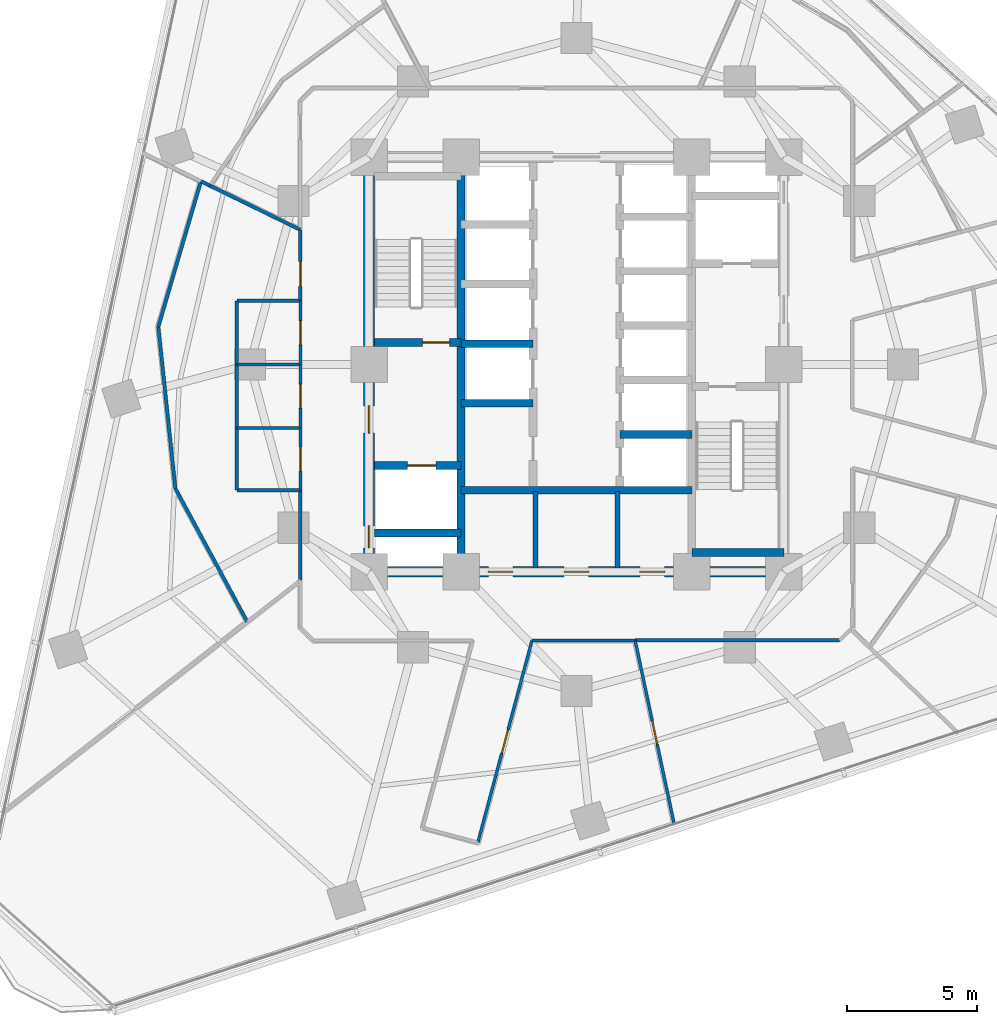
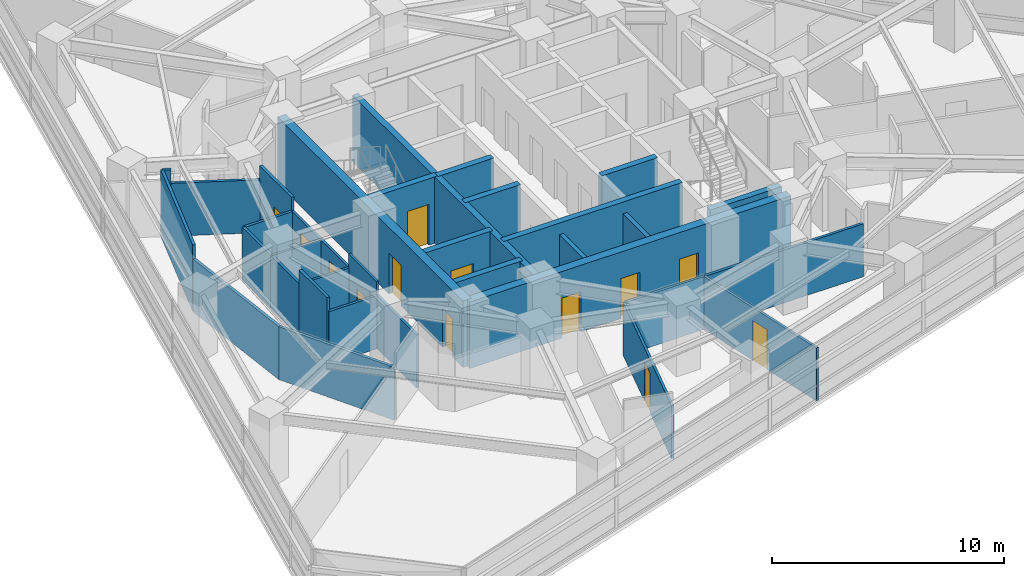
# One storey, part 7 of 13: 34 walls, 13 doors, 13 openings.
"""IFC4 building model written with IfcOpenShell, lengths in metres."""

from ifc_helpers import new_model, si_unit, direction, frame, frame_2d, origin, place, context, subcontext, project, spatial, rectangle, extrude, material, layer, layer_set, type_object, element, fill, save


model = new_model("IFC4")

# Units and contexts
model_context = context("Model", 3, precision=1e-05, world=origin(), true_north=direction((0.0, 1.0)))
body_context = subcontext(model_context, "Body", "Model", "MODEL_VIEW")
ifc_project = project(units=[si_unit("LENGTHUNIT", "METRE"), si_unit("AREAUNIT", "SQUARE_METRE"), si_unit("VOLUMEUNIT", "CUBIC_METRE"), si_unit("PLANEANGLEUNIT", "RADIAN"), si_unit("MASSUNIT", "GRAM", prefix="KILO")], contexts=[model_context])

# Site, building, storey
site_placement = place(None, origin())
site = spatial("IfcSite", under=ifc_project, at=site_placement, CompositionType="ELEMENT")
building_placement = place(site_placement, origin())
building = spatial("IfcBuilding", under=site, at=building_placement, Name="Terralouvre Media Tower", CompositionType="ELEMENT")
storey_placement = place(building_placement, frame((0.0, 0.0, 105.10009765625)))
storey = spatial("IfcBuildingStorey", under=building, at=storey_placement, Name="L26", CompositionType="ELEMENT", Elevation=105.10009765625)

# Wall
ifc_material_1 = material(Name="Concrete C50/60", Category="concrete")
ifc_layer_1 = layer(ifc_material_1, 0.300048828125, Name="Core Internal Shaft Wall CW-300")
ifc_layer_set_1 = layer_set([ifc_layer_1], Name="Concrete C50/60")
wall_type_1 = type_object("IfcWallType", Name="Core Internal Shaft Wall CW-300", PredefinedType="SHEAR", material=ifc_layer_set_1)
wall_1_placement = place(storey_placement, frame((-4.449951171875, -7.7900390625, 0.0), z_axis=(0.0, 0.0, 1.0), x_axis=(0.0, 1.0, 0.0)))
element("IfcWall", 1, at=wall_1_placement, inside=storey, type_object=wall_type_1, Name="L26 Core Shaft Wall SPW", PredefinedType="SHEAR", context=body_context, shape_type="SweptSolid", body=[
    extrude(rectangle(XDim=15.580078125, YDim=0.300048828125, at=frame_2d((7.7900390625, 0.0))), origin(), (0.0, 0.0, 1.0), 3.5),
])

# Wall, opening, door
wall_2_placement = place(storey_placement, frame((-7.7900390625, 0.85009765625, 0.0), z_axis=(0.0, 0.0, 1.0), x_axis=(1.0, 0.0, 0.0)))
wall_2 = element("IfcWall", 2, at=wall_2_placement, inside=storey, type_object=wall_type_1, Name="L26 Core Shaft Wall ST1D", PredefinedType="SHEAR", context=body_context, shape_type="SweptSolid", body=[
    extrude(rectangle(XDim=3.340087890625, YDim=0.300048828125, at=frame_2d((1.669921875, 0.0))), origin(), (0.0, 0.0, 1.0), 3.5),
])
opening_1_placement = place(wall_2_placement, frame((1.85009765625, 0.0, 0.0)))
opening_1 = element("IfcOpeningElement", 3, at=opening_1_placement, cuts=wall_2, Name="Opening FD-01-105X215", PredefinedType="OPENING", context=body_context, shape_type="SweptSolid", body=[
    extrude(rectangle(XDim=1.050048828125, YDim=2.14990234375, at=frame_2d((0.52490234375, 1.074951171875))), frame((0.0, 0.159912109375, 0.0), z_axis=(0.0, -1.0, 0.0), x_axis=(1.0, 0.0, 0.0)), (0.0, 0.0, 1.0), 0.320068359375),
])
ifc_material_2 = material(Name="Galvanised steel fire-resisting leaf", Category="steel")
door_type_1 = type_object("IfcDoorType", Name="Stair and Firefighting Lobby Fire Door FD-01 (1050x2150)", OperationType="NOTDEFINED", PredefinedType="DOOR", material=ifc_material_2)
door_1_placement = place(opening_1_placement, origin())
door_1 = element("IfcDoor", 4, at=door_1_placement, inside=storey, type_object=door_type_1, Name="L26 ST-01 Exit Stair Door", OperationType="SINGLE_SWING_LEFT", OverallHeight=2.14990234375, OverallWidth=1.050048828125, PredefinedType="DOOR", context=body_context, shape_type="SweptSolid", body=[
    extrude(rectangle(XDim=1.050048828125, YDim=2.14990234375, at=frame_2d((0.52490234375, 1.074951171875))), frame((0.0, 0.02490234375, 0.0), z_axis=(0.0, -1.0, 0.0), x_axis=(1.0, 0.0, 0.0)), (0.0, 0.0, 1.0), 0.050048828125),
])
fill(opening_1, door_1)

# Wall
wall_3_placement = place(storey_placement, frame((4.449951171875, -7.260009765625, 0.0), z_axis=(0.0, 0.0, 1.0), x_axis=(1.0, 0.0, 0.0)))
element("IfcWall", 5, at=wall_3_placement, inside=storey, type_object=wall_type_1, Name="L26 Core Shaft Wall ST2F", PredefinedType="SHEAR", context=body_context, shape_type="SweptSolid", body=[
    extrude(rectangle(XDim=3.550048828125, YDim=0.300048828125, at=frame_2d((1.77490234375, 0.0))), origin(), (0.0, 0.0, 1.0), 3.5),
])

# Wall, opening, door
wall_4_placement = place(storey_placement, frame((-7.7900390625, -3.89990234375, 0.0), z_axis=(0.0, 0.0, 1.0), x_axis=(1.0, 0.0, 0.0)))
wall_4 = element("IfcWall", 6, at=wall_4_placement, inside=storey, type_object=wall_type_1, Name="L26 Core Shaft Wall FF1N", PredefinedType="SHEAR", context=body_context, shape_type="SweptSolid", body=[
    extrude(rectangle(XDim=3.340087890625, YDim=0.300048828125, at=frame_2d((1.669921875, 0.0))), origin(), (0.0, 0.0, 1.0), 3.5),
])
opening_2_placement = place(wall_4_placement, frame((1.27001953125, 0.0, 0.0)))
opening_2 = element("IfcOpeningElement", 7, at=opening_2_placement, cuts=wall_4, Name="Opening LD-FF", PredefinedType="OPENING", context=body_context, shape_type="SweptSolid", body=[
    extrude(rectangle(XDim=1.10009765625, YDim=2.10009765625, at=frame_2d((0.550048828125, 1.050048828125))), frame((0.0, 0.159912109375, 0.0), z_axis=(0.0, -1.0, 0.0), x_axis=(1.0, 0.0, 0.0)), (0.0, 0.0, 1.0), 0.320068359375),
])
ifc_material_3 = material(Name="Stainless steel 316 handrail and balustrade", Category="steel")
door_type_2 = type_object("IfcDoorType", Name="Firefighting Lift Sliding Landing Door LD-FF", OperationType="SLIDING_TO_LEFT", PredefinedType="DOOR", material=ifc_material_3)
door_2_placement = place(opening_2_placement, origin())
door_2 = element("IfcDoor", 8, at=door_2_placement, inside=storey, type_object=door_type_2, Name="L26 Firefighting Lift FFL-01 Landing Door", OperationType="SLIDING_TO_LEFT", OverallHeight=2.10009765625, OverallWidth=1.10009765625, PredefinedType="DOOR", context=body_context, shape_type="SweptSolid", body=[
    extrude(rectangle(XDim=1.10009765625, YDim=2.10009765625, at=frame_2d((0.550048828125, 1.050048828125))), frame((0.0, 0.02490234375, 0.0), z_axis=(0.0, -1.0, 0.0), x_axis=(1.0, 0.0, 0.0)), (0.0, 0.0, 1.0), 0.050048828125),
])
fill(opening_2, door_2)

# Walls
wall_5_placement = place(storey_placement, frame((-7.7900390625, -6.5, 0.0), z_axis=(0.0, 0.0, 1.0), x_axis=(1.0, 0.0, 0.0)))
element("IfcWall", 9, at=wall_5_placement, inside=storey, type_object=wall_type_1, Name="L26 Core Shaft Wall FF1S", PredefinedType="SHEAR", context=body_context, shape_type="SweptSolid", body=[
    extrude(rectangle(XDim=3.340087890625, YDim=0.300048828125, at=frame_2d((1.669921875, 0.0))), origin(), (0.0, 0.0, 1.0), 3.5),
])
wall_6_placement = place(storey_placement, frame((-4.449951171875, -4.85009765625, 0.0), z_axis=(0.0, 0.0, 1.0), x_axis=(1.0, 0.0, 0.0)))
element("IfcWall", 10, at=wall_6_placement, inside=storey, type_object=wall_type_1, Name="L26 Core Shaft Wall CSBN", PredefinedType="SHEAR", context=body_context, shape_type="SweptSolid", body=[
    extrude(rectangle(XDim=8.89990234375, YDim=0.300048828125, at=frame_2d((4.449951171875, 0.0))), origin(), (0.0, 0.0, 1.0), 3.5),
])
for number, where, z_axis, x_axis, name in (
    (11, (-4.449951171875, -1.5, 0.0), (0.0, 0.0, 1.0), (1.0, 0.0, 0.0), "L26 Core Shaft Wall PLLD0"),
    (12, (-4.449951171875, 0.800048828125, 0.0), (0.0, 0.0, 1.0), (1.0, 0.0, 0.0), "L26 Core Shaft Wall PLLD1"),
    (13, (1.679931640625, -2.699951171875, 0.0), (0.0, 0.0, 1.0), (1.0, 0.0, 0.0), "L26 Core Shaft Wall PLHD1"),
):
    element("IfcWall", number, at=place(storey_placement, frame(where, z_axis=z_axis, x_axis=x_axis)), inside=storey, type_object=wall_type_1, Name=name, PredefinedType="SHEAR", context=body_context, shape_type="SweptSolid", body=[
        extrude(rectangle(XDim=2.77001953125, YDim=0.300048828125, at=frame_2d((1.385009765625, 0.0))), origin(), (0.0, 0.0, 1.0), 3.5),
    ])

# Wall, openings, doors
ifc_material_4 = material(Name="Concrete C60/75", Category="concrete")
ifc_layer_2 = layer(ifc_material_4, 0.419921875, Name="Core Reinforced Concrete Shear Wall CW-420")
ifc_layer_set_2 = layer_set([ifc_layer_2], Name="Concrete C60/75")
wall_type_2 = type_object("IfcWallType", Name="Core Reinforced Concrete Shear Wall CW-420", PredefinedType="SHEAR", material=ifc_layer_set_2)
wall_7_placement = place(storey_placement, frame((-8.0, -8.0, 0.0), z_axis=(0.0, 0.0, 1.0), x_axis=(0.0, 1.0, 0.0)))
wall_7 = element("IfcWall", 14, at=wall_7_placement, inside=storey, type_object=wall_type_2, Name="L26 W Core Shear Wall", PredefinedType="SHEAR", context=body_context, shape_type="SweptSolid", body=[
    extrude(rectangle(XDim=16.0, YDim=0.419921875, at=frame_2d((8.0, 0.0))), origin(), (0.0, 0.0, 1.0), 3.5),
])
opening_3_placement = place(wall_7_placement, frame((0.921630859375, 0.0, 0.0)))
opening_3 = element("IfcOpeningElement", 15, at=opening_3_placement, cuts=wall_7, Name="Opening TD-R1", PredefinedType="OPENING", context=body_context, shape_type="SweptSolid", body=[
    extrude(rectangle(XDim=0.85009765625, YDim=2.02001953125, at=frame_2d((0.425048828125, 1.010009765625))), frame((0.0, 0.219970703125, 0.0), z_axis=(0.0, -1.0, 0.0), x_axis=(1.0, 0.0, 0.0)), (0.0, 0.0, 1.0), 0.43994140625),
])
opening_4_placement = place(wall_7_placement, frame((5.35009765625, 0.0, 0.0)))
opening_4 = element("IfcOpeningElement", 16, at=opening_4_placement, cuts=wall_7, Name="Opening FD-01-105X215", PredefinedType="OPENING", context=body_context, shape_type="SweptSolid", body=[
    extrude(rectangle(XDim=1.050048828125, YDim=2.14990234375, at=frame_2d((0.52490234375, 1.074951171875))), frame((0.0, 0.219970703125, 0.0), z_axis=(0.0, -1.0, 0.0), x_axis=(1.0, 0.0, 0.0)), (0.0, 0.0, 1.0), 0.43994140625),
])
ifc_material_5 = material(Name="Galvanised steel fire-resisting leaf", Category="steel")
door_type_3 = type_object("IfcDoorType", Name="Riser Inspection Access Trapdoor TD-R1", OperationType="NOTDEFINED", PredefinedType="TRAPDOOR", material=ifc_material_5)
door_3_placement = place(opening_3_placement, origin())
door_3 = element("IfcDoor", 17, at=door_3_placement, inside=storey, type_object=door_type_3, Name="L26 Wet Riser Access Trapdoor", OperationType="SINGLE_SWING_LEFT", OverallHeight=2.02001953125, OverallWidth=0.85009765625, PredefinedType="TRAPDOOR", context=body_context, shape_type="SweptSolid", body=[
    extrude(rectangle(XDim=0.85009765625, YDim=2.02001953125, at=frame_2d((0.425048828125, 1.010009765625))), frame((0.0, 0.02490234375, 0.0), z_axis=(0.0, -1.0, 0.0), x_axis=(1.0, 0.0, 0.0)), (0.0, 0.0, 1.0), 0.050048828125),
])
fill(opening_3, door_3)
door_4_placement = place(opening_4_placement, origin())
door_4 = element("IfcDoor", 18, at=door_4_placement, inside=storey, type_object=door_type_1, Name="L26 West Firefighting Lobby Entry Door", OperationType="SINGLE_SWING_RIGHT", OverallHeight=2.14990234375, OverallWidth=1.050048828125, PredefinedType="DOOR", context=body_context, shape_type="SweptSolid", body=[
    extrude(rectangle(XDim=1.050048828125, YDim=2.14990234375, at=frame_2d((0.52490234375, 1.074951171875))), frame((0.0, 0.02490234375, 0.0), z_axis=(0.0, -1.0, 0.0), x_axis=(1.0, 0.0, 0.0)), (0.0, 0.0, 1.0), 0.050048828125),
])
fill(opening_4, door_4)

wall_8_placement = place(storey_placement, frame((-8.0, -8.0, 0.0), z_axis=(0.0, 0.0, 1.0), x_axis=(1.0, 0.0, 0.0)))
wall_8 = element("IfcWall", 19, at=wall_8_placement, inside=storey, type_object=wall_type_2, Name="L26 S Core Shear Wall", PredefinedType="SHEAR", context=body_context, shape_type="SweptSolid", body=[
    extrude(rectangle(XDim=16.0, YDim=0.419921875, at=frame_2d((8.0, 0.0))), origin(), (0.0, 0.0, 1.0), 3.5),
])
opening_5_placement = place(wall_8_placement, frame((4.60009765625, 0.0, 0.0)))
opening_5 = element("IfcOpeningElement", 20, at=opening_5_placement, cuts=wall_8, Name="Opening FD-02-95X210", PredefinedType="OPENING", context=body_context, shape_type="SweptSolid", body=[
    extrude(rectangle(XDim=0.949951171875, YDim=2.10009765625, at=frame_2d((0.47509765625, 1.050048828125))), frame((0.0, 0.219970703125, 0.0), z_axis=(0.0, -1.0, 0.0), x_axis=(1.0, 0.0, 0.0)), (0.0, 0.0, 1.0), 0.43994140625),
])
opening_6_placement = place(wall_8_placement, frame((7.52001953125, 0.0, 0.0)))
opening_6 = element("IfcOpeningElement", 21, at=opening_6_placement, cuts=wall_8, Name="Opening FD-02-95X210", PredefinedType="OPENING", context=body_context, shape_type="SweptSolid", body=[
    extrude(rectangle(XDim=0.949951171875, YDim=2.10009765625, at=frame_2d((0.47509765625, 1.050048828125))), frame((0.0, 0.219970703125, 0.0), z_axis=(0.0, -1.0, 0.0), x_axis=(1.0, 0.0, 0.0)), (0.0, 0.0, 1.0), 0.43994140625),
])
opening_7_placement = place(wall_8_placement, frame((10.449951171875, 0.0, 0.0)))
opening_7 = element("IfcOpeningElement", 22, at=opening_7_placement, cuts=wall_8, Name="Opening FD-02-95X210", PredefinedType="OPENING", context=body_context, shape_type="SweptSolid", body=[
    extrude(rectangle(XDim=0.949951171875, YDim=2.10009765625, at=frame_2d((0.47509765625, 1.050048828125))), frame((0.0, 0.219970703125, 0.0), z_axis=(0.0, -1.0, 0.0), x_axis=(1.0, 0.0, 0.0)), (0.0, 0.0, 1.0), 0.43994140625),
])
ifc_material_6 = material(Name="Galvanised steel fire-resisting leaf", Category="steel")
door_type_4 = type_object("IfcDoorType", Name="Plant and Riser Fire Door FD-02 (950x2100)", OperationType="NOTDEFINED", PredefinedType="DOOR", material=ifc_material_6)
door_5_placement = place(opening_5_placement, origin())
door_5 = element("IfcDoor", 23, at=door_5_placement, inside=storey, type_object=door_type_4, Name="L26 Core Janitor Store Door", OperationType="SINGLE_SWING_LEFT", OverallHeight=2.10009765625, OverallWidth=0.949951171875, PredefinedType="DOOR", context=body_context, shape_type="SweptSolid", body=[
    extrude(rectangle(XDim=0.949951171875, YDim=2.10009765625, at=frame_2d((0.47509765625, 1.050048828125))), frame((0.0, 0.02490234375, 0.0), z_axis=(0.0, -1.0, 0.0), x_axis=(1.0, 0.0, 0.0)), (0.0, 0.0, 1.0), 0.050048828125),
])
fill(opening_5, door_5)
door_6_placement = place(opening_6_placement, origin())
door_6 = element("IfcDoor", 24, at=door_6_placement, inside=storey, type_object=door_type_4, Name="L26 Core Linen Store Door", OperationType="SINGLE_SWING_RIGHT", OverallHeight=2.10009765625, OverallWidth=0.949951171875, PredefinedType="DOOR", context=body_context, shape_type="SweptSolid", body=[
    extrude(rectangle(XDim=0.949951171875, YDim=2.10009765625, at=frame_2d((0.47509765625, 1.050048828125))), frame((0.0, 0.02490234375, 0.0), z_axis=(0.0, -1.0, 0.0), x_axis=(1.0, 0.0, 0.0)), (0.0, 0.0, 1.0), 0.050048828125),
])
fill(opening_6, door_6)
door_7_placement = place(opening_7_placement, origin())
door_7 = element("IfcDoor", 25, at=door_7_placement, inside=storey, type_object=door_type_4, Name="L26 Core Metering Plant Door", OperationType="SINGLE_SWING_LEFT", OverallHeight=2.10009765625, OverallWidth=0.949951171875, PredefinedType="DOOR", context=body_context, shape_type="SweptSolid", body=[
    extrude(rectangle(XDim=0.949951171875, YDim=2.10009765625, at=frame_2d((0.47509765625, 1.050048828125))), frame((0.0, 0.02490234375, 0.0), z_axis=(0.0, -1.0, 0.0), x_axis=(1.0, 0.0, 0.0)), (0.0, 0.0, 1.0), 0.050048828125),
])
fill(opening_7, door_7)

# Walls
ifc_material_7 = material(Name="Fire-rated gypsum board drywall partition")
ifc_layer_3 = layer(ifc_material_7, 0.199951171875, Name="Fire-Rated Shaft and Lobby Partition FW-200")
ifc_layer_set_3 = layer_set([ifc_layer_3], Name="Fire-rated gypsum board drywall partition")
wall_type_3 = type_object("IfcWallType", Name="Fire-Rated Shaft and Lobby Partition FW-200", PredefinedType="SOLIDWALL", material=ifc_layer_set_3)
for number, where, z_axis, x_axis, name in (
    (26, (-1.580078125, -7.85009765625, 0.0), (0.0, 0.0, 1.0), (0.0, 1.0, 0.0), "L26 Core Service Bay Partition 1"),
    (27, (1.580078125, -7.85009765625, 0.0), (0.0, 0.0, 1.0), (0.0, 1.0, 0.0), "L26 Core Service Bay Partition 2"),
):
    element("IfcWall", number, at=place(storey_placement, frame(where, z_axis=z_axis, x_axis=x_axis)), inside=storey, type_object=wall_type_3, Name=name, PredefinedType="SOLIDWALL", context=body_context, shape_type="SweptSolid", body=[
        extrude(rectangle(XDim=2.9501953125, YDim=0.199951171875, at=frame_2d((1.47509765625, 0.0))), origin(), (0.0, 0.0, 1.0), 2.885009765625),
    ])
ifc_material_8 = material(Name="Fire-rated gypsum board drywall partition")
ifc_layer_4 = layer(ifc_material_8, 0.135009765625, Name="Newsroom Acoustic Partition PT-135")
ifc_layer_set_4 = layer_set([ifc_layer_4], Name="Fire-rated gypsum board drywall partition")
wall_type_4 = type_object("IfcWallType", Name="Newsroom Acoustic Partition PT-135", PredefinedType="PARTITIONING", material=ifc_layer_set_4)
wall_9_placement = place(storey_placement, frame((-10.64990234375, -4.85009765625, 0.0), z_axis=(0.0, 0.0, 1.0), x_axis=(0.0, -1.0, 0.0)))
element("IfcWall", 28, at=wall_9_placement, inside=storey, type_object=wall_type_4, Name="L26 Interior Partition 021", PredefinedType="PARTITIONING", context=body_context, shape_type="SweptSolid", body=[
    extrude(rectangle(XDim=3.470947265625, YDim=0.135009765625, at=frame_2d((1.7353515625, 0.0))), origin(), (0.0, 0.0, 1.0), 2.784912109375),
])

# Wall, opening, door
wall_10_placement = place(storey_placement, frame((-10.64990234375, 5.194091796875, 0.0), z_axis=(0.0, 0.0, 1.0), x_axis=(0.0, -1.0, 0.0)))
wall_10 = element("IfcWall", 29, at=wall_10_placement, inside=storey, type_object=wall_type_4, Name="L26 Interior Partition 022", PredefinedType="PARTITIONING", context=body_context, shape_type="SweptSolid", body=[
    extrude(rectangle(XDim=2.744140625, YDim=0.135009765625, at=frame_2d((1.3720703125, 0.0))), origin(), (0.0, 0.0, 1.0), 3.5),
])
opening_8_placement = place(wall_10_placement, frame((1.226318359375, 0.0, 0.0)))
opening_8 = element("IfcOpeningElement", 30, at=opening_8_placement, cuts=wall_10, Name="Opening ID-02-95X210", PredefinedType="OPENING", context=body_context, shape_type="SweptSolid", body=[
    extrude(rectangle(XDim=0.949951171875, YDim=2.10009765625, at=frame_2d((0.47509765625, 1.050048828125))), frame((0.0, 0.077392578125, 0.0), z_axis=(0.0, -1.0, 0.0), x_axis=(1.0, 0.0, 0.0)), (0.0, 0.0, 1.0), 0.155029296875),
])
ifc_material_9 = material(Name="Engineered hardwood acoustic timber leaf", Category="wood")
door_type_5 = type_object("IfcDoorType", Name="Office and Meeting Room Door ID-02 (950x2100)", OperationType="NOTDEFINED", PredefinedType="DOOR", material=ifc_material_9)
door_8_placement = place(opening_8_placement, origin())
door_8 = element("IfcDoor", 31, at=door_8_placement, inside=storey, type_object=door_type_5, Name="L26 Gym Equipment Closet 6 Door", OperationType="SINGLE_SWING_LEFT", OverallHeight=2.10009765625, OverallWidth=0.949951171875, PredefinedType="DOOR", context=body_context, shape_type="SweptSolid", body=[
    extrude(rectangle(XDim=0.949951171875, YDim=2.10009765625, at=frame_2d((0.47509765625, 1.050048828125))), frame((0.0, 0.02490234375, 0.0), z_axis=(0.0, -1.0, 0.0), x_axis=(1.0, 0.0, 0.0)), (0.0, 0.0, 1.0), 0.050048828125),
])
fill(opening_8, door_8)

# Walls
wall_11_placement = place(storey_placement, frame((2.263916015625, -10.64990234375, 0.0), z_axis=(0.0, 0.0, 1.0), x_axis=(1.0, 0.0, 0.0)))
element("IfcWall", 32, at=wall_11_placement, inside=storey, type_object=wall_type_4, Name="L26 Interior Partition 025", PredefinedType="PARTITIONING", context=body_context, shape_type="SweptSolid", body=[
    extrude(rectangle(XDim=7.885986328125, YDim=0.135009765625, at=frame_2d((3.94287109375, 0.0))), origin(), (0.0, 0.0, 1.0), 2.784912109375),
])
wall_12_placement = place(storey_placement, frame((-13.10009765625, -2.449951171875, 0.0), z_axis=(0.0, 0.0, 1.0), x_axis=(0.0, 1.0, 0.0)))
element("IfcWall", 33, at=wall_12_placement, inside=storey, type_object=wall_type_4, Name="L26 Interior Partition 048", PredefinedType="PARTITIONING", context=body_context, shape_type="SweptSolid", body=[
    extrude(rectangle(XDim=2.449951171875, YDim=0.135009765625, at=frame_2d((1.22509765625, 0.0))), origin(), (0.0, 0.0, 1.0), 2.784912109375),
])
wall_13_placement = place(storey_placement, frame((-10.64990234375, -4.85009765625, 0.0), z_axis=(0.0, 0.0, 1.0), x_axis=(-1.0, 0.0, 0.0)))
element("IfcWall", 34, at=wall_13_placement, inside=storey, type_object=wall_type_4, Name="L26 Interior Partition 049", PredefinedType="PARTITIONING", context=body_context, shape_type="SweptSolid", body=[
    extrude(rectangle(XDim=2.4501953125, YDim=0.135009765625, at=frame_2d((1.22509765625, 0.0))), origin(), (0.0, 0.0, 1.0), 2.784912109375),
])
wall_14_placement = place(storey_placement, frame((-13.10009765625, -4.85009765625, 0.0), z_axis=(0.0, 0.0, 1.0), x_axis=(0.0, 1.0, 0.0)))
element("IfcWall", 35, at=wall_14_placement, inside=storey, type_object=wall_type_4, Name="L26 Interior Partition 050", PredefinedType="PARTITIONING", context=body_context, shape_type="SweptSolid", body=[
    extrude(rectangle(XDim=2.400146484375, YDim=0.135009765625, at=frame_2d((1.2001953125, 0.0))), origin(), (0.0, 0.0, 1.0), 3.5),
])
wall_15_placement = place(storey_placement, frame((-14.490966796875, 7.068115234375, 0.0), z_axis=(0.0, 0.0, 1.0), x_axis=(-0.28111457881, -0.95967421221, 0.0)))
element("IfcWall", 36, at=wall_15_placement, inside=storey, type_object=wall_type_4, Name="L26 Interior Partition 051", PredefinedType="PARTITIONING", context=body_context, shape_type="SweptSolid", body=[
    extrude(rectangle(XDim=5.8447265625, YDim=0.135009765625, at=frame_2d((2.92236328125, 0.0))), origin(), (0.0, 0.0, 1.0), 3.5),
])
wall_16_placement = place(storey_placement, frame((-16.134033203125, 1.458984375, 0.0), z_axis=(0.0, 0.0, 1.0), x_axis=(0.104553126753, -0.994519302822, 0.0)))
element("IfcWall", 37, at=wall_16_placement, inside=storey, type_object=wall_type_4, Name="L26 Interior Partition 052", PredefinedType="PARTITIONING", context=body_context, shape_type="SweptSolid", body=[
    extrude(rectangle(XDim=6.2744140625, YDim=0.135009765625, at=frame_2d((3.13720703125, 0.0))), origin(), (0.0, 0.0, 1.0), 2.784912109375),
])
wall_17_placement = place(storey_placement, frame((-15.47802734375, -4.781005859375, 0.0), z_axis=(0.0, 0.0, 1.0), x_axis=(0.47456801742, -0.880218834633, 0.0)))
element("IfcWall", 38, at=wall_17_placement, inside=storey, type_object=wall_type_4, Name="L26 Interior Partition 053", PredefinedType="PARTITIONING", context=body_context, shape_type="SweptSolid", body=[
    extrude(rectangle(XDim=5.84521484375, YDim=0.135009765625, at=frame_2d((2.922607421875, 0.0))), origin(), (0.0, 0.0, 1.0), 2.784912109375),
])
wall_18_placement = place(storey_placement, frame((-14.14208984375, 6.89794921875, 0.0), z_axis=(0.0, 0.0, 1.0), x_axis=(-0.898786579289, 0.438386456098, 0.0)))
element("IfcWall", 39, at=wall_18_placement, inside=storey, type_object=wall_type_4, Name="L26 Interior Partition 054", PredefinedType="PARTITIONING", context=body_context, shape_type="SweptSolid", body=[
    extrude(rectangle(XDim=0.38818359375, YDim=0.135009765625, at=frame_2d((0.194091796875, 0.0))), origin(), (0.0, 0.0, 1.0), 3.5),
])
wall_19_placement = place(storey_placement, frame((-10.64990234375, 5.194091796875, 0.0), z_axis=(0.0, 0.0, 1.0), x_axis=(-0.898732815367, 0.438496666558, 0.0)))
element("IfcWall", 40, at=wall_19_placement, inside=storey, type_object=wall_type_4, Name="L26 Interior Partition 055", PredefinedType="PARTITIONING", context=body_context, shape_type="SweptSolid", body=[
    extrude(rectangle(XDim=3.8857421875, YDim=0.135009765625, at=frame_2d((1.94287109375, 0.0))), origin(), (0.0, 0.0, 1.0), 2.784912109375),
])
wall_20_placement = place(storey_placement, frame((-13.10009765625, 0.0, 0.0), z_axis=(0.0, 0.0, 1.0), x_axis=(0.0, 1.0, 0.0)))
element("IfcWall", 41, at=wall_20_placement, inside=storey, type_object=wall_type_4, Name="L26 Interior Partition 056", PredefinedType="PARTITIONING", context=body_context, shape_type="SweptSolid", body=[
    extrude(rectangle(XDim=2.449951171875, YDim=0.135009765625, at=frame_2d((1.22509765625, 0.0))), origin(), (0.0, 0.0, 1.0), 2.784912109375),
])
wall_21_placement = place(storey_placement, frame((-13.10009765625, 2.449951171875, 0.0), z_axis=(0.0, 0.0, 1.0), x_axis=(1.0, 0.0, 0.0)))
element("IfcWall", 42, at=wall_21_placement, inside=storey, type_object=wall_type_4, Name="L26 Interior Partition 057", PredefinedType="PARTITIONING", context=body_context, shape_type="SweptSolid", body=[
    extrude(rectangle(XDim=2.4501953125, YDim=0.135009765625, at=frame_2d((1.22509765625, 0.0))), origin(), (0.0, 0.0, 1.0), 2.784912109375),
])

# Wall, opening, door
ifc_material_10 = material(Name="Fire-rated gypsum board drywall partition")
ifc_layer_5 = layer(ifc_material_10, 0.114990234375, Name="Restroom and Pantry Partition PT-115")
ifc_layer_set_5 = layer_set([ifc_layer_5], Name="Fire-rated gypsum board drywall partition")
wall_type_5 = type_object("IfcWallType", Name="Restroom and Pantry Partition PT-115", PredefinedType="PARTITIONING", material=ifc_layer_set_5)
wall_22_placement = place(storey_placement, frame((-3.802978515625, -18.444091796875, 0.0), z_axis=(0.0, 0.0, 1.0), x_axis=(0.258754737882, 0.965943055062, 0.0)))
wall_22 = element("IfcWall", 43, at=wall_22_placement, inside=storey, type_object=wall_type_5, Name="L26 Interior Partition 006", PredefinedType="PARTITIONING", context=body_context, shape_type="SweptSolid", body=[
    extrude(rectangle(XDim=8.069091796875, YDim=0.114990234375, at=frame_2d((4.03466796875, 0.0))), origin(), (0.0, 0.0, 1.0), 2.784912109375),
])
opening_9_placement = place(wall_22_placement, frame((3.559326171875, 0.0, 0.0)))
opening_9 = element("IfcOpeningElement", 44, at=opening_9_placement, cuts=wall_22, Name="Opening SD-01-95X210", PredefinedType="OPENING", context=body_context, shape_type="SweptSolid", body=[
    extrude(rectangle(XDim=0.949951171875, YDim=2.10009765625, at=frame_2d((0.47509765625, 1.050048828125))), frame((0.0, 0.0673828125, 0.0), z_axis=(0.0, -1.0, 0.0), x_axis=(1.0, 0.0, 0.0)), (0.0, 0.0, 1.0), 0.135009765625),
])
ifc_material_11 = material(Name="Anodised extruded aluminium 6063-T6", Category="aluminium")
door_type_6 = type_object("IfcDoorType", Name="Pantry Pocket Sliding Door SD-01 (950x2100)", OperationType="SLIDING_TO_LEFT", PredefinedType="DOOR", material=ifc_material_11)
door_9_placement = place(opening_9_placement, origin())
door_9 = element("IfcDoor", 45, at=door_9_placement, inside=storey, type_object=door_type_6, Name="L26 Nutrition Tea Pantry 1 Door", OperationType="SLIDING_TO_LEFT", OverallHeight=2.10009765625, OverallWidth=0.949951171875, PredefinedType="DOOR", context=body_context, shape_type="SweptSolid", body=[
    extrude(rectangle(XDim=0.949951171875, YDim=2.10009765625, at=frame_2d((0.47509765625, 1.050048828125))), frame((0.0, 0.02490234375, 0.0), z_axis=(0.0, -1.0, 0.0), x_axis=(1.0, 0.0, 0.0)), (0.0, 0.0, 1.0), 0.050048828125),
])
fill(opening_9, door_9)

# Wall
wall_23_placement = place(storey_placement, frame((-1.715087890625, -10.64990234375, 0.0), z_axis=(0.0, 0.0, 1.0), x_axis=(1.0, 0.0, 0.0)))
element("IfcWall", 46, at=wall_23_placement, inside=storey, type_object=wall_type_5, Name="L26 Interior Partition 007", PredefinedType="PARTITIONING", context=body_context, shape_type="SweptSolid", body=[
    extrude(rectangle(XDim=3.97900390625, YDim=0.114990234375, at=frame_2d((1.989501953125, 0.0))), origin(), (0.0, 0.0, 1.0), 2.784912109375),
])

# Wall, opening, door
wall_24_placement = place(storey_placement, frame((-10.64990234375, 0.0, 0.0), z_axis=(0.0, 0.0, 1.0), x_axis=(0.0, -1.0, 0.0)))
wall_24 = element("IfcWall", 47, at=wall_24_placement, inside=storey, type_object=wall_type_5, Name="L26 Interior Partition 023", PredefinedType="PARTITIONING", context=body_context, shape_type="SweptSolid", body=[
    extrude(rectangle(XDim=2.449951171875, YDim=0.114990234375, at=frame_2d((1.22509765625, 0.0))), origin(), (0.0, 0.0, 1.0), 2.784912109375),
])
opening_10_placement = place(wall_24_placement, frame((0.764892578125, 0.0, 0.0)))
opening_10 = element("IfcOpeningElement", 48, at=opening_10_placement, cuts=wall_24, Name="Opening ID-03-92X210", PredefinedType="OPENING", context=body_context, shape_type="SweptSolid", body=[
    extrude(rectangle(XDim=0.919921875, YDim=2.10009765625, at=frame_2d((0.4599609375, 1.050048828125))), frame((0.0, 0.0673828125, 0.0), z_axis=(0.0, -1.0, 0.0), x_axis=(1.0, 0.0, 0.0)), (0.0, 0.0, 1.0), 0.135009765625),
])
ifc_material_12 = material(Name="Engineered hardwood acoustic timber leaf", Category="wood")
door_type_7 = type_object("IfcDoorType", Name="Accessible Restroom and Suite Door ID-03 (920x2100)", OperationType="NOTDEFINED", PredefinedType="DOOR", material=ifc_material_12)
door_10_placement = place(opening_10_placement, origin())
door_10 = element("IfcDoor", 49, at=door_10_placement, inside=storey, type_object=door_type_7, Name="L26 Female Restroom WC Door", OperationType="SINGLE_SWING_RIGHT", OverallHeight=2.10009765625, OverallWidth=0.919921875, PredefinedType="DOOR", context=body_context, shape_type="SweptSolid", body=[
    extrude(rectangle(XDim=0.919921875, YDim=2.10009765625, at=frame_2d((0.4599609375, 1.050048828125))), frame((0.0, 0.02490234375, 0.0), z_axis=(0.0, -1.0, 0.0), x_axis=(1.0, 0.0, 0.0)), (0.0, 0.0, 1.0), 0.050048828125),
])
fill(opening_10, door_10)

wall_25_placement = place(storey_placement, frame((-10.64990234375, -2.449951171875, 0.0), z_axis=(0.0, 0.0, 1.0), x_axis=(0.0, -1.0, 0.0)))
wall_25 = element("IfcWall", 50, at=wall_25_placement, inside=storey, type_object=wall_type_5, Name="L26 Interior Partition 024", PredefinedType="PARTITIONING", context=body_context, shape_type="SweptSolid", body=[
    extrude(rectangle(XDim=2.400146484375, YDim=0.114990234375, at=frame_2d((1.2001953125, 0.0))), origin(), (0.0, 0.0, 1.0), 3.5),
])
opening_11_placement = place(wall_25_placement, frame((0.739990234375, 0.0, 0.0)))
opening_11 = element("IfcOpeningElement", 51, at=opening_11_placement, cuts=wall_25, Name="Opening ID-03-92X210", PredefinedType="OPENING", context=body_context, shape_type="SweptSolid", body=[
    extrude(rectangle(XDim=0.919921875, YDim=2.10009765625, at=frame_2d((0.4599609375, 1.050048828125))), frame((0.0, 0.0673828125, 0.0), z_axis=(0.0, -1.0, 0.0), x_axis=(1.0, 0.0, 0.0)), (0.0, 0.0, 1.0), 0.135009765625),
])
door_11_placement = place(opening_11_placement, origin())
door_11 = element("IfcDoor", 52, at=door_11_placement, inside=storey, type_object=door_type_7, Name="L26 Male Restroom WC Door", OperationType="SINGLE_SWING_LEFT", OverallHeight=2.10009765625, OverallWidth=0.919921875, PredefinedType="DOOR", context=body_context, shape_type="SweptSolid", body=[
    extrude(rectangle(XDim=0.919921875, YDim=2.10009765625, at=frame_2d((0.4599609375, 1.050048828125))), frame((0.0, 0.02490234375, 0.0), z_axis=(0.0, -1.0, 0.0), x_axis=(1.0, 0.0, 0.0)), (0.0, 0.0, 1.0), 0.050048828125),
])
fill(opening_11, door_11)

wall_26_placement = place(storey_placement, frame((-10.64990234375, 2.449951171875, 0.0), z_axis=(0.0, 0.0, 1.0), x_axis=(0.0, -1.0, 0.0)))
wall_26 = element("IfcWall", 53, at=wall_26_placement, inside=storey, type_object=wall_type_5, Name="L26 Interior Partition 034", PredefinedType="PARTITIONING", context=body_context, shape_type="SweptSolid", body=[
    extrude(rectangle(XDim=2.449951171875, YDim=0.114990234375, at=frame_2d((1.22509765625, 0.0))), origin(), (0.0, 0.0, 1.0), 2.784912109375),
])
opening_12_placement = place(wall_26_placement, frame((0.764892578125, 0.0, 0.0)))
opening_12 = element("IfcOpeningElement", 54, at=opening_12_placement, cuts=wall_26, Name="Opening ID-03-92X210", PredefinedType="OPENING", context=body_context, shape_type="SweptSolid", body=[
    extrude(rectangle(XDim=0.919921875, YDim=2.10009765625, at=frame_2d((0.4599609375, 1.050048828125))), frame((0.0, 0.0673828125, 0.0), z_axis=(0.0, -1.0, 0.0), x_axis=(1.0, 0.0, 0.0)), (0.0, 0.0, 1.0), 0.135009765625),
])
door_12_placement = place(opening_12_placement, origin())
door_12 = element("IfcDoor", 55, at=door_12_placement, inside=storey, type_object=door_type_7, Name="L26 Accessible Unisex WC Door", OperationType="SINGLE_SWING_LEFT", OverallHeight=2.10009765625, OverallWidth=0.919921875, PredefinedType="DOOR", context=body_context, shape_type="SweptSolid", body=[
    extrude(rectangle(XDim=0.919921875, YDim=2.10009765625, at=frame_2d((0.4599609375, 1.050048828125))), frame((0.0, 0.02490234375, 0.0), z_axis=(0.0, -1.0, 0.0), x_axis=(1.0, 0.0, 0.0)), (0.0, 0.0, 1.0), 0.050048828125),
])
fill(opening_12, door_12)

wall_27_placement = place(storey_placement, frame((3.7783203125, -17.7744140625, 0.0), z_axis=(0.0, 0.0, 1.0), x_axis=(-0.207917284361, 0.978146411773, 0.0)))
wall_27 = element("IfcWall", 56, at=wall_27_placement, inside=storey, type_object=wall_type_5, Name="L26 Interior Partition 037", PredefinedType="PARTITIONING", context=body_context, shape_type="SweptSolid", body=[
    extrude(rectangle(XDim=7.28369140625, YDim=0.114990234375, at=frame_2d((3.641845703125, 0.0))), origin(), (0.0, 0.0, 1.0), 2.784912109375),
])
opening_13_placement = place(wall_27_placement, frame((3.181884765625, 0.0, 0.0)))
opening_13 = element("IfcOpeningElement", 57, at=opening_13_placement, cuts=wall_27, Name="Opening ID-03-92X210", PredefinedType="OPENING", context=body_context, shape_type="SweptSolid", body=[
    extrude(rectangle(XDim=0.919921875, YDim=2.10009765625, at=frame_2d((0.4599609375, 1.050048828125))), frame((0.0, 0.0673828125, 0.0), z_axis=(0.0, -1.0, 0.0), x_axis=(1.0, 0.0, 0.0)), (0.0, 0.0, 1.0), 0.135009765625),
])
door_13_placement = place(opening_13_placement, origin())
door_13 = element("IfcDoor", 58, at=door_13_placement, inside=storey, type_object=door_type_7, Name="L26 Health and Science Editorial Open Office 8 Door", OperationType="SINGLE_SWING_LEFT", OverallHeight=2.10009765625, OverallWidth=0.919921875, PredefinedType="DOOR", context=body_context, shape_type="SweptSolid", body=[
    extrude(rectangle(XDim=0.919921875, YDim=2.10009765625, at=frame_2d((0.4599609375, 1.050048828125))), frame((0.0, 0.02490234375, 0.0), z_axis=(0.0, -1.0, 0.0), x_axis=(1.0, 0.0, 0.0)), (0.0, 0.0, 1.0), 0.050048828125),
])
fill(opening_13, door_13)

# Walls
for number, where, z_axis, x_axis, name in (
    (59, (-13.10009765625, -2.449951171875, 0.0), (0.0, 0.0, 1.0), (1.0, 0.0, 0.0), "L26 Interior Partition 058"),
    (60, (-10.64990234375, 0.0, 0.0), (0.0, 0.0, 1.0), (-1.0, 0.0, 0.0), "L26 Interior Partition 059"),
):
    element("IfcWall", number, at=place(storey_placement, frame(where, z_axis=z_axis, x_axis=x_axis)), inside=storey, type_object=wall_type_5, Name=name, PredefinedType="PARTITIONING", context=body_context, shape_type="SweptSolid", body=[
        extrude(rectangle(XDim=2.4501953125, YDim=0.114990234375, at=frame_2d((1.22509765625, 0.0))), origin(), (0.0, 0.0, 1.0), 2.784912109375),
    ])

save(model, "model.ifc")
